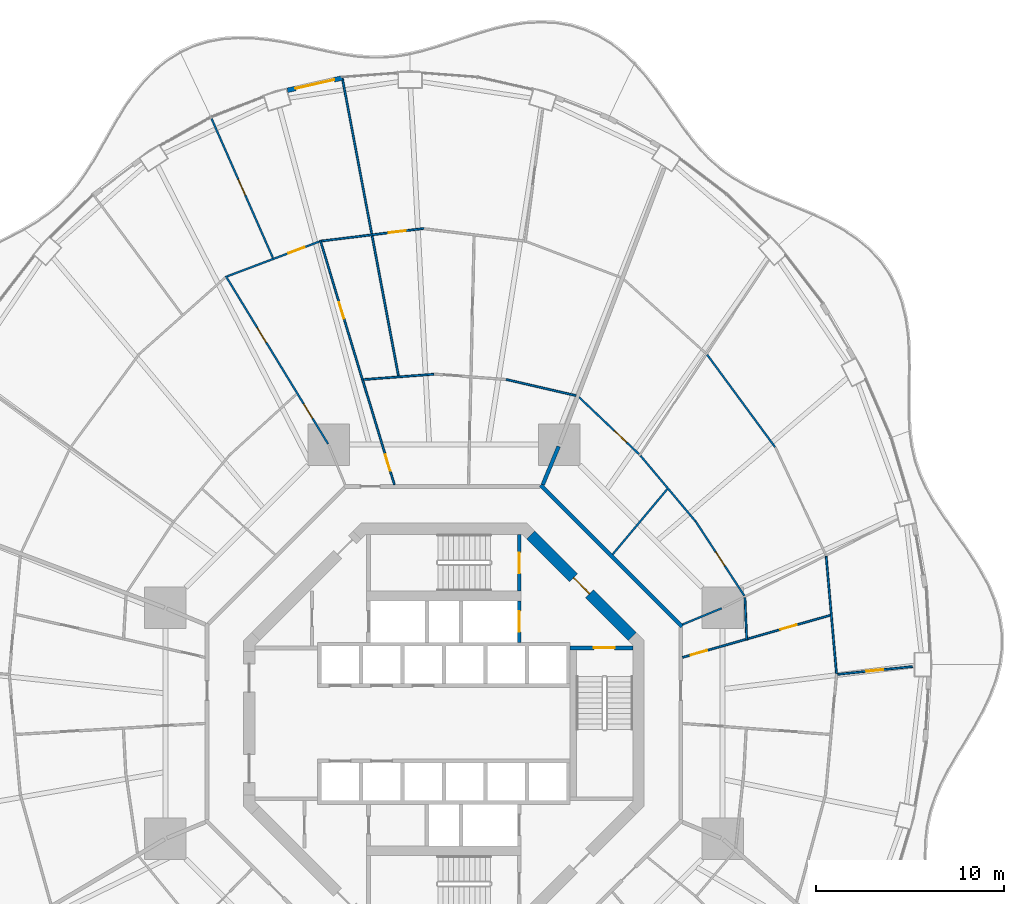
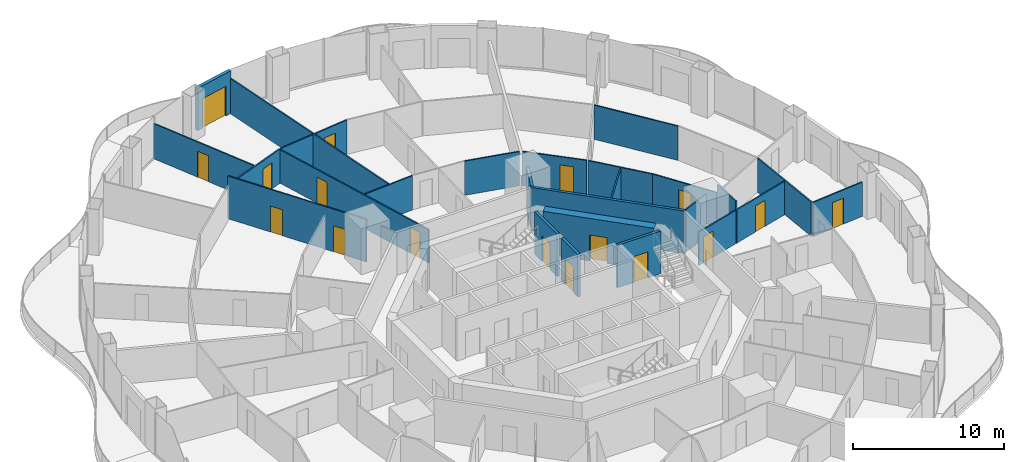
# One storey, part 18 of 22: 25 walls, 17 doors, 17 openings.
"""IFC4 building model written with IfcOpenShell, lengths in metres."""

from ifc_helpers import new_model, si_unit, direction, frame, frame_2d, origin, place, context, subcontext, project, spatial, rectangle, extrude, material, layer, layer_set, type_object, element, fill, save


model = new_model("IFC4")

# Units and contexts
model_context = context("Model", 3, precision=1e-05, world=origin(), true_north=direction((0.0, 1.0)))
body_context = subcontext(model_context, "Body", "Model", "MODEL_VIEW")
ifc_project = project(units=[si_unit("LENGTHUNIT", "METRE"), si_unit("AREAUNIT", "SQUARE_METRE"), si_unit("VOLUMEUNIT", "CUBIC_METRE"), si_unit("PLANEANGLEUNIT", "RADIAN"), si_unit("MASSUNIT", "GRAM", prefix="KILO")], contexts=[model_context])

# Site, building, storey
site_placement = place(None, origin())
site = spatial("IfcSite", under=ifc_project, at=site_placement, CompositionType="ELEMENT")
building_placement = place(site_placement, origin())
building = spatial("IfcBuilding", under=site, at=building_placement, Name="Nagisa Residences", CompositionType="ELEMENT")
storey_placement = place(building_placement, frame((0.0, 0.0, 91.800048828125)))
storey = spatial("IfcBuildingStorey", under=building, at=storey_placement, Name="L22", CompositionType="ELEMENT", Elevation=91.800048828125)

# Walls
ifc_material_1 = material(Name="Gypsum board on steel studs", Category="steel")
ifc_layer_1 = layer(ifc_material_1, 0.199951171875)
ifc_layer_set_1 = layer_set([ifc_layer_1], Name="Apartment compartment wall EI60 200")
wall_type_1 = type_object("IfcWallType", Name="Apartment compartment wall EI60 200", PredefinedType="PARTITIONING", material=ifc_layer_set_1)
wall_1_placement = place(storey_placement, frame((5.24267578125, 12.6572265625, 0.0), z_axis=(0.0, 0.0, 1.0), x_axis=(0.382724096228, 0.923862687939, 0.0)))
element("IfcWall", 1, at=wall_1_placement, inside=storey, type_object=wall_type_1, Name="wall:L22:u00", PredefinedType="PARTITIONING", context=body_context, shape_type="SweptSolid", body=[
    extrude(rectangle(XDim=2.20068359375, YDim=0.199951171875, at=frame_2d((1.100341796875, 0.0))), origin(), (0.0, 0.0, 1.0), 3.43994140625),
])
ifc_material_2 = material(Name="Gypsum board on steel studs", Category="steel")
ifc_layer_2 = layer(ifc_material_2, 0.199951171875)
ifc_layer_set_2 = layer_set([ifc_layer_2], Name="Apartment entry wall EI60 200")
wall_type_2 = type_object("IfcWallType", Name="Apartment entry wall EI60 200", PredefinedType="PARTITIONING", material=ifc_layer_set_2)
wall_2_placement = place(storey_placement, frame((12.635498046875, 5.1337890625, 0.0), z_axis=(0.0, 0.0, 1.0), x_axis=(-0.707106781187, 0.707106781187, 0.0)))
element("IfcWall", 2, at=wall_2_placement, inside=storey, type_object=wall_type_2, Name="wall:L22:u11", PredefinedType="PARTITIONING", context=body_context, shape_type="SweptSolid", body=[
    extrude(rectangle(XDim=10.609130859375, YDim=0.199951171875, at=frame_2d((5.3046875, 0.0))), origin(), (0.0, 0.0, 1.0), 3.43994140625),
])

# Wall, opening, door
ifc_material_3 = material(Name="Gypsum board on steel studs", Category="steel")
ifc_layer_3 = layer(ifc_material_3, 0.10009765625)
ifc_layer_set_3 = layer_set([ifc_layer_3], Name="Apartment partition 100")
wall_type_3 = type_object("IfcWallType", Name="Apartment partition 100", PredefinedType="PARTITIONING", material=ifc_layer_set_3)
wall_3_placement = place(storey_placement, frame((20.879150390625, 2.597412109375, 0.0), z_axis=(0.0, 0.0, 1.0), x_axis=(0.994666546694, 0.103142914868, 0.0)))
wall_3 = element("IfcWall", 3, at=wall_3_placement, inside=storey, type_object=wall_type_3, Name="wall:L22:u18", PredefinedType="PARTITIONING", context=body_context, shape_type="SweptSolid", body=[
    extrude(rectangle(XDim=3.997802734375, YDim=0.10009765625, at=frame_2d((1.9990234375, 0.0))), origin(), (0.0, 0.0, 1.0), 2.761962890625),
])
opening_1_placement = place(wall_3_placement, frame((1.548828125, 0.0, 0.0)))
opening_1 = element("IfcOpeningElement", 4, at=opening_1_placement, cuts=wall_3, Name="Opening L22-U50", PredefinedType="OPENING", context=body_context, shape_type="SweptSolid", body=[
    extrude(rectangle(XDim=0.89990234375, YDim=2.10009765625, at=frame_2d((0.449951171875, 1.050048828125))), frame((0.0, 0.06005859375, 0.0), z_axis=(0.0, -1.0, 0.0), x_axis=(1.0, 0.0, 0.0)), (0.0, 0.0, 1.0), 0.1201171875),
])
ifc_material_4 = material(Name="Timber door set", Category="wood")
door_type_1 = type_object("IfcDoorType", Name="Apartment door 900x2100", OperationType="NOTDEFINED", PredefinedType="DOOR", material=ifc_material_4)
door_1_placement = place(opening_1_placement, origin())
door_1 = element("IfcDoor", 5, at=door_1_placement, inside=storey, type_object=door_type_1, Name="Door to bedroom, Apartment 22E", OperationType="SINGLE_SWING_RIGHT", OverallHeight=2.10009765625, OverallWidth=0.89990234375, PredefinedType="DOOR", context=body_context, shape_type="SweptSolid", body=[
    extrude(rectangle(XDim=0.89990234375, YDim=2.10009765625, at=frame_2d((0.449951171875, 1.050048828125))), frame((0.0, 0.02490234375, 0.0), z_axis=(0.0, -1.0, 0.0), x_axis=(1.0, 0.0, 0.0)), (0.0, 0.0, 1.0), 0.050048828125),
])
fill(opening_1, door_1)

# Wall
wall_4_placement = place(storey_placement, frame((20.8251953125, 2.64208984375, 0.0), z_axis=(0.0, 0.0, 1.0), x_axis=(-0.08776129045, 0.99614153407, 0.0)))
element("IfcWall", 6, at=wall_4_placement, inside=storey, type_object=wall_type_3, Name="wall:L22:u19", PredefinedType="PARTITIONING", context=body_context, shape_type="SweptSolid", body=[
    extrude(rectangle(XDim=6.237060546875, YDim=0.10009765625, at=frame_2d((3.11865234375, 0.0))), origin(), (0.0, 0.0, 1.0), 2.761962890625),
])

# Wall, openings, doors
wall_5_placement = place(storey_placement, frame((12.660888671875, 3.4970703125, 0.0), z_axis=(0.0, 0.0, 1.0), x_axis=(0.961626678623, 0.274361314621, 0.0)))
wall_5 = element("IfcWall", 7, at=wall_5_placement, inside=storey, type_object=wall_type_3, Name="wall:L22:u21", PredefinedType="PARTITIONING", context=body_context, shape_type="SweptSolid", body=[
    extrude(rectangle(XDim=8.155517578125, YDim=0.10009765625, at=frame_2d((4.07763671875, 0.0))), origin(), (0.0, 0.0, 1.0), 2.68701171875),
])
opening_2_placement = place(wall_5_placement, frame((0.4462890625, 0.0, 0.0)))
opening_2 = element("IfcOpeningElement", 8, at=opening_2_placement, cuts=wall_5, Name="Opening L22-U46", PredefinedType="OPENING", context=body_context, shape_type="SweptSolid", body=[
    extrude(rectangle(XDim=0.89990234375, YDim=2.10009765625, at=frame_2d((0.449951171875, 1.050048828125))), frame((0.0, 0.06005859375, 0.0), z_axis=(0.0, -1.0, 0.0), x_axis=(1.0, 0.0, 0.0)), (0.0, 0.0, 1.0), 0.1201171875),
])
opening_3_placement = place(wall_5_placement, frame((5.39013671875, 0.0, 0.0)))
opening_3 = element("IfcOpeningElement", 9, at=opening_3_placement, cuts=wall_5, Name="Opening L22-U48", PredefinedType="OPENING", context=body_context, shape_type="SweptSolid", body=[
    extrude(rectangle(XDim=0.89990234375, YDim=2.10009765625, at=frame_2d((0.449951171875, 1.050048828125))), frame((0.0, 0.06005859375, 0.0), z_axis=(0.0, -1.0, 0.0), x_axis=(1.0, 0.0, 0.0)), (0.0, 0.0, 1.0), 0.1201171875),
])
door_2_placement = place(opening_2_placement, origin())
door_2 = element("IfcDoor", 10, at=door_2_placement, inside=storey, type_object=door_type_1, Name="Door to family bathroom, Apartment 22E", OperationType="SINGLE_SWING_RIGHT", OverallHeight=2.10009765625, OverallWidth=0.89990234375, PredefinedType="DOOR", context=body_context, shape_type="SweptSolid", body=[
    extrude(rectangle(XDim=0.89990234375, YDim=2.10009765625, at=frame_2d((0.449951171875, 1.050048828125))), frame((0.0, 0.02490234375, 0.0), z_axis=(0.0, -1.0, 0.0), x_axis=(1.0, 0.0, 0.0)), (0.0, 0.0, 1.0), 0.050048828125),
])
fill(opening_2, door_2)
door_3_placement = place(opening_3_placement, origin())
door_3 = element("IfcDoor", 11, at=door_3_placement, inside=storey, type_object=door_type_1, Name="Door to family bathroom, Apartment 22E", OperationType="SINGLE_SWING_RIGHT", OverallHeight=2.10009765625, OverallWidth=0.89990234375, PredefinedType="DOOR", context=body_context, shape_type="SweptSolid", body=[
    extrude(rectangle(XDim=0.89990234375, YDim=2.10009765625, at=frame_2d((0.449951171875, 1.050048828125))), frame((0.0, 0.02490234375, 0.0), z_axis=(0.0, -1.0, 0.0), x_axis=(1.0, 0.0, 0.0)), (0.0, 0.0, 1.0), 0.050048828125),
])
fill(opening_3, door_3)

# Walls
wall_6_placement = place(storey_placement, frame((16.064453125, 4.4150390625, 0.0), z_axis=(0.0, 0.0, 1.0), x_axis=(-0.043118325477, 0.999069972528, 0.0)))
element("IfcWall", 12, at=wall_6_placement, inside=storey, type_object=wall_type_3, Name="wall:L22:u22", PredefinedType="PARTITIONING", context=body_context, shape_type="SweptSolid", body=[
    extrude(rectangle(XDim=2.25927734375, YDim=0.10009765625, at=frame_2d((1.129638671875, 0.0))), origin(), (0.0, 0.0, 1.0), 3.43994140625),
])
wall_7_placement = place(storey_placement, frame((12.6572265625, 5.24267578125, 0.0), z_axis=(0.0, 0.0, 1.0), x_axis=(0.923848837015, 0.382757529444, 0.0)))
element("IfcWall", 13, at=wall_7_placement, inside=storey, type_object=wall_type_3, Name="wall:L22:u23", PredefinedType="PARTITIONING", context=body_context, shape_type="SweptSolid", body=[
    extrude(rectangle(XDim=2.249755859375, YDim=0.10009765625, at=frame_2d((1.125, 0.0))), origin(), (0.0, 0.0, 1.0), 3.43994140625),
])

# Wall, opening, door
wall_8_placement = place(storey_placement, frame((15.9375, 6.763916015625, 0.0), z_axis=(0.0, 0.0, 1.0), x_axis=(-0.547472878942, 0.836823426311, 0.0)))
wall_8 = element("IfcWall", 14, at=wall_8_placement, inside=storey, type_object=wall_type_3, Name="wall:L22:u25", PredefinedType="PARTITIONING", context=body_context, shape_type="SweptSolid", body=[
    extrude(rectangle(XDim=4.73779296875, YDim=0.10009765625, at=frame_2d((2.368896484375, 0.0))), origin(), (0.0, 0.0, 1.0), 2.761962890625),
])
opening_4_placement = place(wall_8_placement, frame((1.893798828125, 0.0, 0.0)))
opening_4 = element("IfcOpeningElement", 15, at=opening_4_placement, cuts=wall_8, Name="Opening L22-U55", PredefinedType="OPENING", context=body_context, shape_type="SweptSolid", body=[
    extrude(rectangle(XDim=0.89990234375, YDim=2.10009765625, at=frame_2d((0.449951171875, 1.050048828125))), frame((0.0, 0.06005859375, 0.0), z_axis=(0.0, -1.0, 0.0), x_axis=(1.0, 0.0, 0.0)), (0.0, 0.0, 1.0), 0.1201171875),
])
door_4_placement = place(opening_4_placement, origin())
door_4 = element("IfcDoor", 16, at=door_4_placement, inside=storey, type_object=door_type_1, Name="Door to store, Apartment 22E", OperationType="SINGLE_SWING_LEFT", OverallHeight=2.10009765625, OverallWidth=0.89990234375, PredefinedType="DOOR", context=body_context, shape_type="SweptSolid", body=[
    extrude(rectangle(XDim=0.89990234375, YDim=2.10009765625, at=frame_2d((0.449951171875, 1.050048828125))), frame((0.0, 0.02490234375, 0.0), z_axis=(0.0, -1.0, 0.0), x_axis=(1.0, 0.0, 0.0)), (0.0, 0.0, 1.0), 0.050048828125),
])
fill(opening_4, door_4)

# Walls
wall_9_placement = place(storey_placement, frame((13.339111328125, 10.724853515625, 0.0), z_axis=(0.0, 0.0, 1.0), x_axis=(-0.642515455924, 0.766272724882, 0.0)))
element("IfcWall", 17, at=wall_9_placement, inside=storey, type_object=wall_type_3, Name="wall:L22:u27", PredefinedType="PARTITIONING", context=body_context, shape_type="SweptSolid", body=[
    extrude(rectangle(XDim=4.537353515625, YDim=0.10009765625, at=frame_2d((2.2685546875, 0.0))), origin(), (0.0, 0.0, 1.0), 2.761962890625),
])
wall_10_placement = place(storey_placement, frame((17.567138671875, 14.65283203125, 0.0), z_axis=(0.0, 0.0, 1.0), x_axis=(-0.592391983588, 0.80564988536, 0.0)))
element("IfcWall", 18, at=wall_10_placement, inside=storey, type_object=wall_type_3, Name="wall:L22:u28", PredefinedType="PARTITIONING", context=body_context, shape_type="SweptSolid", body=[
    extrude(rectangle(XDim=6.080078125, YDim=0.10009765625, at=frame_2d((3.0400390625, 0.0))), origin(), (0.0, 0.0, 1.0), 2.761962890625),
])
wall_11_placement = place(storey_placement, frame((8.94873046875, 8.961181640625, 0.0), z_axis=(0.0, 0.0, 1.0), x_axis=(0.642048217601, 0.766664259162, 0.0)))
element("IfcWall", 19, at=wall_11_placement, inside=storey, type_object=wall_type_3, Name="wall:L22:u29", PredefinedType="PARTITIONING", context=body_context, shape_type="SweptSolid", body=[
    extrude(rectangle(XDim=4.517822265625, YDim=0.10009765625, at=frame_2d((2.2587890625, 0.0))), origin(), (0.0, 0.0, 1.0), 2.68701171875),
])

# Wall, opening, door
wall_12_placement = place(storey_placement, frame((10.35546875, 14.274169921875, 0.0), z_axis=(0.0, 0.0, 1.0), x_axis=(-0.725206433622, 0.688531501555, 0.0)))
wall_12 = element("IfcWall", 20, at=wall_12_placement, inside=storey, type_object=wall_type_3, Name="wall:L22:u31", PredefinedType="PARTITIONING", context=body_context, shape_type="SweptSolid", body=[
    extrude(rectangle(XDim=4.386962890625, YDim=0.10009765625, at=frame_2d((2.193359375, 0.0))), origin(), (0.0, 0.0, 1.0), 2.761962890625),
])
opening_5_placement = place(wall_12_placement, frame((0.907470703125, 0.0, 0.0)))
opening_5 = element("IfcOpeningElement", 21, at=opening_5_placement, cuts=wall_12, Name="Opening L22-U56", PredefinedType="OPENING", context=body_context, shape_type="SweptSolid", body=[
    extrude(rectangle(XDim=0.89990234375, YDim=2.10009765625, at=frame_2d((0.449951171875, 1.050048828125))), frame((0.0, 0.06005859375, 0.0), z_axis=(0.0, -1.0, 0.0), x_axis=(1.0, 0.0, 0.0)), (0.0, 0.0, 1.0), 0.1201171875),
])
door_5_placement = place(opening_5_placement, origin())
door_5 = element("IfcDoor", 22, at=door_5_placement, inside=storey, type_object=door_type_1, Name="Door to laundry, Apartment 22E", OperationType="SINGLE_SWING_RIGHT", OverallHeight=2.10009765625, OverallWidth=0.89990234375, PredefinedType="DOOR", context=body_context, shape_type="SweptSolid", body=[
    extrude(rectangle(XDim=0.89990234375, YDim=2.10009765625, at=frame_2d((0.449951171875, 1.050048828125))), frame((0.0, 0.02490234375, 0.0), z_axis=(0.0, -1.0, 0.0), x_axis=(1.0, 0.0, 0.0)), (0.0, 0.0, 1.0), 0.050048828125),
])
fill(opening_5, door_5)

# Walls
wall_13_placement = place(storey_placement, frame((7.004150390625, 17.385986328125, 0.0), z_axis=(0.0, 0.0, 1.0), x_axis=(-0.974179728512, 0.225773905837, 0.0)))
element("IfcWall", 23, at=wall_13_placement, inside=storey, type_object=wall_type_3, Name="wall:L22:u33", PredefinedType="PARTITIONING", context=body_context, shape_type="SweptSolid", body=[
    extrude(rectangle(XDim=3.802001953125, YDim=0.10009765625, at=frame_2d((1.90087890625, 0.0))), origin(), (0.0, 0.0, 1.0), 2.761962890625),
])
wall_14_placement = place(storey_placement, frame((-0.535888671875, 18.519287109375, 0.0), z_axis=(0.0, 0.0, 1.0), x_axis=(-0.99715294352, -0.075405618017, 0.0)))
element("IfcWall", 24, at=wall_14_placement, inside=storey, type_object=wall_type_3, Name="wall:L22:u39", PredefinedType="PARTITIONING", context=body_context, shape_type="SweptSolid", body=[
    extrude(rectangle(XDim=3.74609375, YDim=0.10009765625, at=frame_2d((1.873046875, 0.0))), origin(), (0.0, 0.0, 1.0), 2.761962890625),
])

# Wall, opening, door
wall_15_placement = place(storey_placement, frame((-1.06640625, 26.2529296875, 0.0), z_axis=(0.0, 0.0, 1.0), x_axis=(-0.992574853421, -0.121635358166, 0.0)))
wall_15 = element("IfcWall", 25, at=wall_15_placement, inside=storey, type_object=wall_type_3, Name="wall:L22:u40", PredefinedType="PARTITIONING", context=body_context, shape_type="SweptSolid", body=[
    extrude(rectangle(XDim=5.473388671875, YDim=0.10009765625, at=frame_2d((2.73681640625, 0.0))), origin(), (0.0, 0.0, 1.0), 2.761962890625),
])
opening_6_placement = place(wall_15_placement, frame((0.968505859375, 0.0, 0.0)))
opening_6 = element("IfcOpeningElement", 26, at=opening_6_placement, cuts=wall_15, Name="Opening L22-U09", PredefinedType="OPENING", context=body_context, shape_type="SweptSolid", body=[
    extrude(rectangle(XDim=0.89990234375, YDim=2.10009765625, at=frame_2d((0.449951171875, 1.050048828125))), frame((0.0, 0.06005859375, 0.0), z_axis=(0.0, -1.0, 0.0), x_axis=(1.0, 0.0, 0.0)), (0.0, 0.0, 1.0), 0.1201171875),
])
door_6_placement = place(opening_6_placement, frame((0.89990234375, 0.0, 0.0), x_axis=(-1.0, 0.0, 0.0)))
door_6 = element("IfcDoor", 27, at=door_6_placement, inside=storey, type_object=door_type_1, Name="Door to dining room, Apartment 22A", OperationType="SINGLE_SWING_RIGHT", OverallHeight=2.10009765625, OverallWidth=0.89990234375, PredefinedType="DOOR", context=body_context, shape_type="SweptSolid", body=[
    extrude(rectangle(XDim=0.89990234375, YDim=2.10009765625, at=frame_2d((0.449951171875, 1.050048828125))), frame((0.0, 0.02490234375, 0.0), z_axis=(0.0, -1.0, 0.0), x_axis=(1.0, 0.0, 0.0)), (0.0, 0.0, 1.0), 0.050048828125),
])
fill(opening_6, door_6)

# Wall
wall_16_placement = place(storey_placement, frame((-2.412841796875, 18.42724609375, 0.0), z_axis=(0.0, 0.0, 1.0), x_axis=(-0.185126823719, 0.982714637695, 0.0)))
element("IfcWall", 28, at=wall_16_placement, inside=storey, type_object=wall_type_3, Name="wall:L22:u41", PredefinedType="PARTITIONING", context=body_context, shape_type="SweptSolid", body=[
    extrude(rectangle(XDim=16.176025390625, YDim=0.10009765625, at=frame_2d((8.087890625, 0.0))), origin(), (0.0, 0.0, 1.0), 2.8369140625),
])

# Wall, openings, doors
wall_17_placement = place(storey_placement, frame((-2.63134765625, 12.660400390625, 0.0), z_axis=(0.0, 0.0, 1.0), x_axis=(-0.290161396499, 0.956977723869, 0.0)))
wall_17 = element("IfcWall", 29, at=wall_17_placement, inside=storey, type_object=wall_type_3, Name="wall:L22:u42", PredefinedType="PARTITIONING", context=body_context, shape_type="SweptSolid", body=[
    extrude(rectangle(XDim=13.551513671875, YDim=0.10009765625, at=frame_2d((6.77587890625, 0.0))), origin(), (0.0, 0.0, 1.0), 2.68701171875),
])
opening_7_placement = place(wall_17_placement, frame((0.772216796875, 0.0, 0.0)))
opening_7 = element("IfcOpeningElement", 30, at=opening_7_placement, cuts=wall_17, Name="Opening L22-U02", PredefinedType="OPENING", context=body_context, shape_type="SweptSolid", body=[
    extrude(rectangle(XDim=0.89990234375, YDim=2.10009765625, at=frame_2d((0.449951171875, 1.050048828125))), frame((0.0, 0.06005859375, 0.0), z_axis=(0.0, -1.0, 0.0), x_axis=(1.0, 0.0, 0.0)), (0.0, 0.0, 1.0), 0.1201171875),
])
opening_8_placement = place(wall_17_placement, frame((9.21240234375, 0.0, 0.0)))
opening_8 = element("IfcOpeningElement", 31, at=opening_8_placement, cuts=wall_17, Name="Opening L22-U06", PredefinedType="OPENING", context=body_context, shape_type="SweptSolid", body=[
    extrude(rectangle(XDim=0.89990234375, YDim=2.10009765625, at=frame_2d((0.449951171875, 1.050048828125))), frame((0.0, 0.06005859375, 0.0), z_axis=(0.0, -1.0, 0.0), x_axis=(1.0, 0.0, 0.0)), (0.0, 0.0, 1.0), 0.1201171875),
])
door_7_placement = place(opening_7_placement, frame((0.89990234375, 0.0, 0.0), x_axis=(-1.0, 0.0, 0.0)))
door_7 = element("IfcDoor", 32, at=door_7_placement, inside=storey, type_object=door_type_1, Name="Door to store, Apartment 22A", OperationType="SINGLE_SWING_LEFT", OverallHeight=2.10009765625, OverallWidth=0.89990234375, PredefinedType="DOOR", context=body_context, shape_type="SweptSolid", body=[
    extrude(rectangle(XDim=0.89990234375, YDim=2.10009765625, at=frame_2d((0.449951171875, 1.050048828125))), frame((0.0, 0.02490234375, 0.0), z_axis=(0.0, -1.0, 0.0), x_axis=(1.0, 0.0, 0.0)), (0.0, 0.0, 1.0), 0.050048828125),
])
fill(opening_7, door_7)
door_8_placement = place(opening_8_placement, frame((0.89990234375, 0.0, 0.0), x_axis=(-1.0, 0.0, 0.0)))
door_8 = element("IfcDoor", 33, at=door_8_placement, inside=storey, type_object=door_type_1, Name="Door to family bathroom, Apartment 22A", OperationType="SINGLE_SWING_LEFT", OverallHeight=2.10009765625, OverallWidth=0.89990234375, PredefinedType="DOOR", context=body_context, shape_type="SweptSolid", body=[
    extrude(rectangle(XDim=0.89990234375, YDim=2.10009765625, at=frame_2d((0.449951171875, 1.050048828125))), frame((0.0, 0.02490234375, 0.0), z_axis=(0.0, -1.0, 0.0), x_axis=(1.0, 0.0, 0.0)), (0.0, 0.0, 1.0), 0.050048828125),
])
fill(opening_8, door_8)

# Wall, opening, door
wall_18_placement = place(storey_placement, frame((-6.595703125, 25.5634765625, 0.0), z_axis=(0.0, 0.0, 1.0), x_axis=(-0.9356162121, -0.353018843201, 0.0)))
wall_18 = element("IfcWall", 34, at=wall_18_placement, inside=storey, type_object=wall_type_3, Name="wall:L22:u43", PredefinedType="PARTITIONING", context=body_context, shape_type="SweptSolid", body=[
    extrude(rectangle(XDim=5.2490234375, YDim=0.10009765625, at=frame_2d((2.62451171875, 0.0))), origin(), (0.0, 0.0, 1.0), 2.761962890625),
])
opening_9_placement = place(wall_18_placement, frame((0.8623046875, 0.0, 0.0)))
opening_9 = element("IfcOpeningElement", 35, at=opening_9_placement, cuts=wall_18, Name="Opening L22-U10", PredefinedType="OPENING", context=body_context, shape_type="SweptSolid", body=[
    extrude(rectangle(XDim=0.89990234375, YDim=2.10009765625, at=frame_2d((0.449951171875, 1.050048828125))), frame((0.0, 0.06005859375, 0.0), z_axis=(0.0, -1.0, 0.0), x_axis=(1.0, 0.0, 0.0)), (0.0, 0.0, 1.0), 0.1201171875),
])
door_9_placement = place(opening_9_placement, frame((0.89990234375, 0.0, 0.0), x_axis=(-1.0, 0.0, 0.0)))
door_9 = element("IfcDoor", 36, at=door_9_placement, inside=storey, type_object=door_type_1, Name="Door to living room, Apartment 22A", OperationType="SINGLE_SWING_LEFT", OverallHeight=2.10009765625, OverallWidth=0.89990234375, PredefinedType="DOOR", context=body_context, shape_type="SweptSolid", body=[
    extrude(rectangle(XDim=0.89990234375, YDim=2.10009765625, at=frame_2d((0.449951171875, 1.050048828125))), frame((0.0, 0.02490234375, 0.0), z_axis=(0.0, -1.0, 0.0), x_axis=(1.0, 0.0, 0.0)), (0.0, 0.0, 1.0), 0.050048828125),
])
fill(opening_9, door_9)

wall_19_placement = place(storey_placement, frame((-9.071533203125, 24.682861328125, 0.0), z_axis=(0.0, 0.0, 1.0), x_axis=(-0.403192911159, 0.915115007194, 0.0)))
wall_19 = element("IfcWall", 37, at=wall_19_placement, inside=storey, type_object=wall_type_3, Name="wall:L22:u44", PredefinedType="PARTITIONING", context=body_context, shape_type="SweptSolid", body=[
    extrude(rectangle(XDim=8.21142578125, YDim=0.10009765625, at=frame_2d((4.105712890625, 0.0))), origin(), (0.0, 0.0, 1.0), 2.8369140625),
])
opening_10_placement = place(wall_19_placement, frame((3.65576171875, 0.0, 0.0)))
opening_10 = element("IfcOpeningElement", 38, at=opening_10_placement, cuts=wall_19, Name="Opening L22-U11", PredefinedType="OPENING", context=body_context, shape_type="SweptSolid", body=[
    extrude(rectangle(XDim=0.89990234375, YDim=2.10009765625, at=frame_2d((0.449951171875, 1.050048828125))), frame((0.0, 0.06005859375, 0.0), z_axis=(0.0, -1.0, 0.0), x_axis=(1.0, 0.0, 0.0)), (0.0, 0.0, 1.0), 0.1201171875),
])
door_10_placement = place(opening_10_placement, origin())
door_10 = element("IfcDoor", 39, at=door_10_placement, inside=storey, type_object=door_type_1, Name="Door to master bedroom, Apartment 22A", OperationType="SINGLE_SWING_LEFT", OverallHeight=2.10009765625, OverallWidth=0.89990234375, PredefinedType="DOOR", context=body_context, shape_type="SweptSolid", body=[
    extrude(rectangle(XDim=0.89990234375, YDim=2.10009765625, at=frame_2d((0.449951171875, 1.050048828125))), frame((0.0, 0.02490234375, 0.0), z_axis=(0.0, -1.0, 0.0), x_axis=(1.0, 0.0, 0.0)), (0.0, 0.0, 1.0), 0.050048828125),
])
fill(opening_10, door_10)

# Wall, openings, doors
wall_20_placement = place(storey_placement, frame((-6.14892578125, 14.82470703125, 0.0), z_axis=(0.0, 0.0, 1.0), x_axis=(-0.520411490252, 0.853915616917, 0.0)))
wall_20 = element("IfcWall", 40, at=wall_20_placement, inside=storey, type_object=wall_type_3, Name="wall:L22:u46", PredefinedType="PARTITIONING", context=body_context, shape_type="SweptSolid", body=[
    extrude(rectangle(XDim=10.435302734375, YDim=0.10009765625, at=frame_2d((5.2177734375, 0.0))), origin(), (0.0, 0.0, 1.0), 3.43994140625),
])
opening_11_placement = place(wall_20_placement, frame((1.58154296875, 0.0, 0.0)))
opening_11 = element("IfcOpeningElement", 41, at=opening_11_placement, cuts=wall_20, Name="Opening L22-U03", PredefinedType="OPENING", context=body_context, shape_type="SweptSolid", body=[
    extrude(rectangle(XDim=0.89990234375, YDim=2.10009765625, at=frame_2d((0.449951171875, 1.050048828125))), frame((0.0, 0.06005859375, 0.0), z_axis=(0.0, -1.0, 0.0), x_axis=(1.0, 0.0, 0.0)), (0.0, 0.0, 1.0), 0.1201171875),
])
opening_12_placement = place(wall_20_placement, frame((6.3125, 0.0, 0.0)))
opening_12 = element("IfcOpeningElement", 42, at=opening_12_placement, cuts=wall_20, Name="Opening L22-U07", PredefinedType="OPENING", context=body_context, shape_type="SweptSolid", body=[
    extrude(rectangle(XDim=0.89990234375, YDim=2.10009765625, at=frame_2d((0.449951171875, 1.050048828125))), frame((0.0, 0.06005859375, 0.0), z_axis=(0.0, -1.0, 0.0), x_axis=(1.0, 0.0, 0.0)), (0.0, 0.0, 1.0), 0.1201171875),
])
door_11_placement = place(opening_11_placement, origin())
door_11 = element("IfcDoor", 43, at=door_11_placement, inside=storey, type_object=door_type_1, Name="Door to store, Apartment 22A", OperationType="SINGLE_SWING_LEFT", OverallHeight=2.10009765625, OverallWidth=0.89990234375, PredefinedType="DOOR", context=body_context, shape_type="SweptSolid", body=[
    extrude(rectangle(XDim=0.89990234375, YDim=2.10009765625, at=frame_2d((0.449951171875, 1.050048828125))), frame((0.0, 0.02490234375, 0.0), z_axis=(0.0, -1.0, 0.0), x_axis=(1.0, 0.0, 0.0)), (0.0, 0.0, 1.0), 0.050048828125),
])
fill(opening_11, door_11)
door_12_placement = place(opening_12_placement, origin())
door_12 = element("IfcDoor", 44, at=door_12_placement, inside=storey, type_object=door_type_1, Name="Door to dining room, Apartment 22A", OperationType="SINGLE_SWING_LEFT", OverallHeight=2.10009765625, OverallWidth=0.89990234375, PredefinedType="DOOR", context=body_context, shape_type="SweptSolid", body=[
    extrude(rectangle(XDim=0.89990234375, YDim=2.10009765625, at=frame_2d((0.449951171875, 1.050048828125))), frame((0.0, 0.02490234375, 0.0), z_axis=(0.0, -1.0, 0.0), x_axis=(1.0, 0.0, 0.0)), (0.0, 0.0, 1.0), 0.050048828125),
])
fill(opening_12, door_12)

# Wall, opening, door
ifc_material_5 = material(Name="Precast concrete C40/50", Category="concrete")
ifc_layer_4 = layer(ifc_material_5, 0.25)
ifc_layer_set_4 = layer_set([ifc_layer_4], Name="BALCONY DOOR WALL 250")
wall_type_4 = type_object("IfcWallType", Name="BALCONY DOOR WALL 250", PredefinedType="SOLIDWALL", material=ifc_layer_set_4)
wall_21_placement = place(storey_placement, frame((-8.306396484375, 33.580322265625, 0.0), z_axis=(0.0, 0.0, 1.0), x_axis=(0.975317607872, 0.220806620767, 0.0)))
wall_21 = element("IfcWall", 45, at=wall_21_placement, inside=storey, type_object=wall_type_4, Name="wall:L22:bay13", PredefinedType="SOLIDWALL", context=body_context, shape_type="SweptSolid", body=[
    extrude(rectangle(XDim=2.9931640625, YDim=0.25, at=frame_2d((1.49658203125, 0.0))), origin(), (0.0, 0.0, 1.0), 3.43994140625),
])
opening_13_placement = place(wall_21_placement, frame((0.446533203125, 0.0, 0.0)))
opening_13 = element("IfcOpeningElement", 46, at=opening_13_placement, cuts=wall_21, Name="Opening BD-L22-05", PredefinedType="OPENING", context=body_context, shape_type="SweptSolid", body=[
    extrude(rectangle(XDim=2.10009765625, YDim=2.39990234375, at=frame_2d((1.050048828125, 1.199951171875))), frame((0.0, 0.135009765625, 0.0), z_axis=(0.0, -1.0, 0.0), x_axis=(1.0, 0.0, 0.0)), (0.0, 0.0, 1.0), 0.27001953125),
])
ifc_material_6 = material(Name="Aluminium and clear glass", Category="aluminium")
door_type_2 = type_object("IfcDoorType", Name="BALCONY SLIDING DOOR 2100x2400", OperationType="SLIDING_TO_LEFT", PredefinedType="DOOR", material=ifc_material_6)
door_13_placement = place(opening_13_placement, origin())
door_13 = element("IfcDoor", 47, at=door_13_placement, inside=storey, type_object=door_type_2, Name="door:L22:bay13", OperationType="SLIDING_TO_LEFT", OverallHeight=2.39990234375, OverallWidth=2.10009765625, PredefinedType="DOOR", context=body_context, shape_type="SweptSolid", body=[
    extrude(rectangle(XDim=2.10009765625, YDim=2.39990234375, at=frame_2d((1.050048828125, 1.199951171875))), frame((0.0, 0.02490234375, 0.0), z_axis=(0.0, -1.0, 0.0), x_axis=(1.0, 0.0, 0.0)), (0.0, 0.0, 1.0), 0.050048828125),
])
fill(opening_13, door_13)

ifc_material_7 = material(Name="Concrete C60", Category="concrete")
ifc_layer_5 = layer(ifc_material_7, 0.60009765625)
ifc_layer_set_5 = layer_set([ifc_layer_5], Name="Core shear wall 600")
wall_type_5 = type_object("IfcWallType", Name="Core shear wall 600", PredefinedType="SHEAR", material=ifc_layer_set_5)
wall_22_placement = place(storey_placement, frame((9.98828125, 4.613037109375, 0.0), z_axis=(0.0, 0.0, 1.0), x_axis=(-0.707106781187, 0.707106781187, 0.0)))
wall_22 = element("IfcWall", 48, at=wall_22_placement, inside=storey, type_object=wall_type_5, Name="wall:L22:core:flat1", PredefinedType="SHEAR", context=body_context, shape_type="SweptSolid", body=[
    extrude(rectangle(XDim=7.601806640625, YDim=0.60009765625, at=frame_2d((3.80078125, 0.0))), origin(), (0.0, 0.0, 1.0), 3.43994140625),
])
opening_14_placement = place(wall_22_placement, frame((3.200927734375, 0.0, 0.0)))
opening_14 = element("IfcOpeningElement", 49, at=opening_14_placement, cuts=wall_22, Name="Opening L22-C15", PredefinedType="OPENING", context=body_context, shape_type="SweptSolid", body=[
    extrude(rectangle(XDim=1.199951171875, YDim=2.10009765625, at=frame_2d((0.60009765625, 1.050048828125))), frame((0.0, 0.31005859375, 0.0), z_axis=(0.0, -1.0, 0.0), x_axis=(1.0, 0.0, 0.0)), (0.0, 0.0, 1.0), 0.6201171875),
])
ifc_material_8 = material(Name="Steel fire door", Category="steel")
door_type_3 = type_object("IfcDoorType", Name="Fire door EI60 1200x2100 single swing", OperationType="NOTDEFINED", PredefinedType="DOOR", material=ifc_material_8)
door_14_placement = place(opening_14_placement, origin())
door_14 = element("IfcDoor", 50, at=door_14_placement, inside=storey, type_object=door_type_3, Name="Firefighting lobby 1 door L22", OperationType="SINGLE_SWING_RIGHT", OverallHeight=2.10009765625, OverallWidth=1.199951171875, PredefinedType="DOOR", context=body_context, shape_type="SweptSolid", body=[
    extrude(rectangle(XDim=1.199951171875, YDim=2.10009765625, at=frame_2d((0.60009765625, 1.050048828125))), frame((0.0, 0.02490234375, 0.0), z_axis=(0.0, -1.0, 0.0), x_axis=(1.0, 0.0, 0.0)), (0.0, 0.0, 1.0), 0.050048828125),
])
fill(opening_14, door_14)

ifc_material_9 = material(Name="Concrete C60", Category="concrete")
ifc_layer_6 = layer(ifc_material_9, 0.199951171875)
ifc_layer_set_6 = layer_set([ifc_layer_6], Name="Lift shaft wall 200")
wall_type_6 = type_object("IfcWallType", Name="Lift shaft wall 200", PredefinedType="SOLIDWALL", material=ifc_layer_set_6)
wall_23_placement = place(storey_placement, frame((4.0, 4.300048828125, 0.0), z_axis=(0.0, 0.0, 1.0), x_axis=(0.0, 1.0, 0.0)))
wall_23 = element("IfcWall", 51, at=wall_23_placement, inside=storey, type_object=wall_type_6, Name="wall:L22:Nb3", PredefinedType="SOLIDWALL", context=body_context, shape_type="SweptSolid", body=[
    extrude(rectangle(XDim=2.199951171875, YDim=0.199951171875, at=frame_2d((1.10009765625, 0.0))), origin(), (0.0, 0.0, 1.0), 3.43994140625),
])
opening_15_placement = place(wall_23_placement, frame((0.550048828125, 0.0, 0.0)))
opening_15 = element("IfcOpeningElement", 52, at=opening_15_placement, cuts=wall_23, Name="Opening L22-C06", PredefinedType="OPENING", context=body_context, shape_type="SweptSolid", body=[
    extrude(rectangle(XDim=1.10009765625, YDim=2.10009765625, at=frame_2d((0.550048828125, 1.050048828125))), frame((0.0, 0.10986328125, 0.0), z_axis=(0.0, -1.0, 0.0), x_axis=(1.0, 0.0, 0.0)), (0.0, 0.0, 1.0), 0.219970703125),
])
ifc_material_10 = material(Name="Stainless steel", Category="steel")
door_type_4 = type_object("IfcDoorType", Name="Lift landing door 1100x2100", OperationType="DOUBLE_DOOR_SLIDING", PredefinedType="DOOR", material=ifc_material_10)
door_15_placement = place(opening_15_placement, origin())
door_15 = element("IfcDoor", 53, at=door_15_placement, inside=storey, type_object=door_type_4, Name="Landing door FL1 L22", OperationType="DOUBLE_DOOR_SLIDING", OverallHeight=2.10009765625, OverallWidth=1.10009765625, PredefinedType="DOOR", context=body_context, shape_type="SweptSolid", body=[
    extrude(rectangle(XDim=1.10009765625, YDim=2.10009765625, at=frame_2d((0.550048828125, 1.050048828125))), frame((0.0, 0.02490234375, 0.0), z_axis=(0.0, -1.0, 0.0), x_axis=(1.0, 0.0, 0.0)), (0.0, 0.0, 1.0), 0.050048828125),
])
fill(opening_15, door_15)

ifc_material_11 = material(Name="Concrete C60", Category="concrete")
ifc_layer_7 = layer(ifc_material_11, 0.199951171875)
ifc_layer_set_7 = layer_set([ifc_layer_7], Name="Stair enclosure wall 200")
wall_type_7 = type_object("IfcWallType", Name="Stair enclosure wall 200", PredefinedType="SOLIDWALL", material=ifc_layer_set_7)
wall_24_placement = place(storey_placement, frame((6.699951171875, 4.0, 0.0), z_axis=(0.0, 0.0, 1.0), x_axis=(1.0, 0.0, 0.0)))
wall_24 = element("IfcWall", 54, at=wall_24_placement, inside=storey, type_object=wall_type_7, Name="wall:L22:SE_n", PredefinedType="SOLIDWALL", context=body_context, shape_type="SweptSolid", body=[
    extrude(rectangle(XDim=3.32470703125, YDim=0.199951171875, at=frame_2d((1.662353515625, 0.0))), origin(), (0.0, 0.0, 1.0), 3.43994140625),
])
opening_16_placement = place(wall_24_placement, frame((1.25, 0.0, 0.0)))
opening_16 = element("IfcOpeningElement", 55, at=opening_16_placement, cuts=wall_24, Name="Opening L22-C09", PredefinedType="OPENING", context=body_context, shape_type="SweptSolid", body=[
    extrude(rectangle(XDim=1.10009765625, YDim=2.10009765625, at=frame_2d((0.550048828125, 1.050048828125))), frame((0.0, 0.10986328125, 0.0), z_axis=(0.0, -1.0, 0.0), x_axis=(1.0, 0.0, 0.0)), (0.0, 0.0, 1.0), 0.219970703125),
])
ifc_material_12 = material(Name="Steel fire door", Category="steel")
door_type_5 = type_object("IfcDoorType", Name="Fire door EI90 1100x2100 single swing", OperationType="NOTDEFINED", PredefinedType="DOOR", material=ifc_material_12)
door_16_placement = place(opening_16_placement, frame((1.10009765625, 0.0, 0.0), x_axis=(-1.0, 0.0, 0.0)))
door_16 = element("IfcDoor", 56, at=door_16_placement, inside=storey, type_object=door_type_5, Name="Stair door ST-E L22", OperationType="SINGLE_SWING_RIGHT", OverallHeight=2.10009765625, OverallWidth=1.10009765625, PredefinedType="DOOR", context=body_context, shape_type="SweptSolid", body=[
    extrude(rectangle(XDim=1.10009765625, YDim=2.10009765625, at=frame_2d((0.550048828125, 1.050048828125))), frame((0.0, 0.02490234375, 0.0), z_axis=(0.0, -1.0, 0.0), x_axis=(1.0, 0.0, 0.0)), (0.0, 0.0, 1.0), 0.050048828125),
])
fill(opening_16, door_16)

wall_25_placement = place(storey_placement, frame((4.0, 7.024658203125, 0.0), z_axis=(0.0, 0.0, 1.0), x_axis=(0.0, 1.0, 0.0)))
wall_25 = element("IfcWall", 57, at=wall_25_placement, inside=storey, type_object=wall_type_7, Name="wall:L22:SN_e", PredefinedType="SOLIDWALL", context=body_context, shape_type="SweptSolid", body=[
    extrude(rectangle(XDim=3.0, YDim=0.199951171875, at=frame_2d((1.5, 0.0))), origin(), (0.0, 0.0, 1.0), 3.43994140625),
])
opening_17_placement = place(wall_25_placement, frame((0.92529296875, 0.0, 0.0)))
opening_17 = element("IfcOpeningElement", 58, at=opening_17_placement, cuts=wall_25, Name="Opening L22-C10", PredefinedType="OPENING", context=body_context, shape_type="SweptSolid", body=[
    extrude(rectangle(XDim=1.10009765625, YDim=2.10009765625, at=frame_2d((0.550048828125, 1.050048828125))), frame((0.0, 0.10986328125, 0.0), z_axis=(0.0, -1.0, 0.0), x_axis=(1.0, 0.0, 0.0)), (0.0, 0.0, 1.0), 0.219970703125),
])
door_17_placement = place(opening_17_placement, origin())
door_17 = element("IfcDoor", 59, at=door_17_placement, inside=storey, type_object=door_type_5, Name="Stair door ST-N L22", OperationType="SINGLE_SWING_LEFT", OverallHeight=2.10009765625, OverallWidth=1.10009765625, PredefinedType="DOOR", context=body_context, shape_type="SweptSolid", body=[
    extrude(rectangle(XDim=1.10009765625, YDim=2.10009765625, at=frame_2d((0.550048828125, 1.050048828125))), frame((0.0, 0.02490234375, 0.0), z_axis=(0.0, -1.0, 0.0), x_axis=(1.0, 0.0, 0.0)), (0.0, 0.0, 1.0), 0.050048828125),
])
fill(opening_17, door_17)

save(model, "model.ifc")
